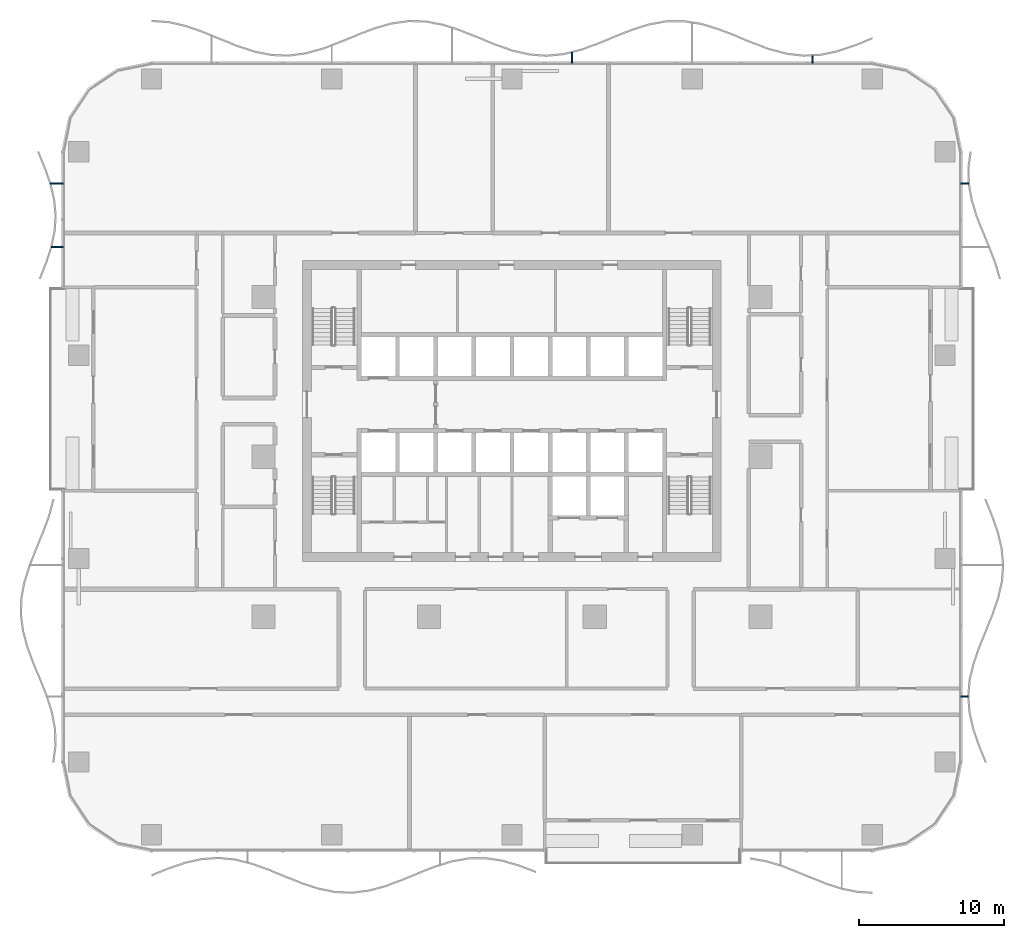
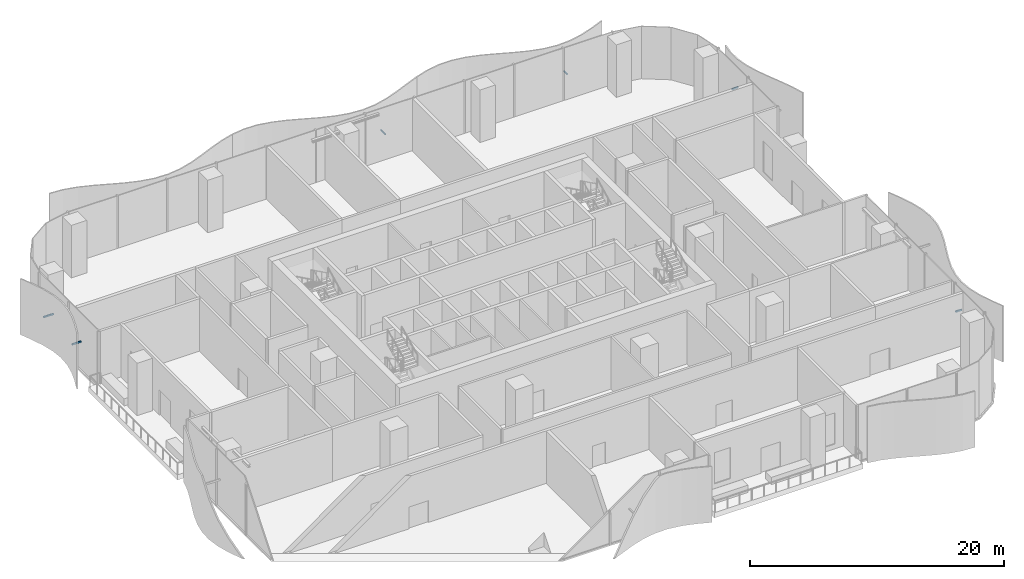
# One storey, part 13 of 20: 6 discrete accessories.
"""IFC4 building model written with IfcOpenShell, lengths in metres."""

from ifc_helpers import new_model, si_unit, direction, frame, origin, origin_2d, place, context, subcontext, project, spatial, rectangle, extrude, material, type_object, element, save


model = new_model("IFC4")

# Units and contexts
model_context = context("Model", 3, precision=1e-05, world=origin(), true_north=direction((0.0, 1.0)))
body_context = subcontext(model_context, "Body", "Model", "MODEL_VIEW")
ifc_project = project(units=[si_unit("LENGTHUNIT", "METRE"), si_unit("AREAUNIT", "SQUARE_METRE"), si_unit("VOLUMEUNIT", "CUBIC_METRE"), si_unit("PLANEANGLEUNIT", "RADIAN"), si_unit("MASSUNIT", "GRAM", prefix="KILO")], contexts=[model_context])

# Site, building, storey
site_placement = place(None, origin())
site = spatial("IfcSite", under=ifc_project, at=site_placement, CompositionType="ELEMENT")
building_placement = place(site_placement, origin())
building = spatial("IfcBuilding", under=site, at=building_placement, Name="Mopane Tessera Tower", CompositionType="ELEMENT")
storey_placement = place(building_placement, frame((0.0, 0.0, 25.5)))
storey = spatial("IfcBuildingStorey", under=building, at=storey_placement, Name="L04", CompositionType="ELEMENT", Elevation=25.5)

# Discrete accessories
ifc_material = material(Name="Stainless steel S316", Category="steel")
discrete_accessory_type = type_object("IfcDiscreteAccessoryType", Name="Louvre bracket 100 x 100", PredefinedType="BRACKET", material=ifc_material)
discrete_accessory_1_placement = place(storey_placement, frame((31.139892578125, -16.4833984375, 2.304931640625), z_axis=(0.0, 0.0, 1.0), x_axis=(1.0, 0.0, 0.0)))
element("IfcDiscreteAccessory", 1, at=discrete_accessory_1_placement, inside=storey, type_object=discrete_accessory_type, Name="e:lv:L04:E:0:br0", PredefinedType="BRACKET", context=body_context, shape_type="SweptSolid", body=[
    extrude(rectangle(XDim=0.52001953125, YDim=0.10009765625, at=origin_2d()), origin(), (0.0, 0.0, 1.0), 0.10009765625),
])
discrete_accessory_2_placement = place(storey_placement, frame((31.156982421875, 18.816650390625, 2.304931640625), z_axis=(0.0, 0.0, 1.0), x_axis=(1.0, 0.0, 0.0)))
element("IfcDiscreteAccessory", 2, at=discrete_accessory_2_placement, inside=storey, type_object=discrete_accessory_type, Name="e:lv:L04:E:1:br1", PredefinedType="BRACKET", context=body_context, shape_type="SweptSolid", body=[
    extrude(rectangle(XDim=0.553955078125, YDim=0.10009765625, at=origin_2d()), origin(), (0.0, 0.0, 1.0), 0.10009765625),
])
discrete_accessory_3_placement = place(storey_placement, frame((20.666748046875, 27.344970703125, 2.304931640625), z_axis=(0.0, 0.0, 1.0), x_axis=(0.0, 1.0, 0.0)))
element("IfcDiscreteAccessory", 3, at=discrete_accessory_3_placement, inside=storey, type_object=discrete_accessory_type, Name="e:lv:L04:N:0:br0", PredefinedType="BRACKET", context=body_context, shape_type="SweptSolid", body=[
    extrude(rectangle(XDim=0.52978515625, YDim=0.10009765625, at=origin_2d()), origin(), (0.0, 0.0, 1.0), 0.10009765625),
])
discrete_accessory_4_placement = place(storey_placement, frame((4.13330078125, 27.458740234375, 2.304931640625), z_axis=(0.0, 0.0, 1.0), x_axis=(0.0, 1.0, 0.0)))
element("IfcDiscreteAccessory", 4, at=discrete_accessory_4_placement, inside=storey, type_object=discrete_accessory_type, Name="e:lv:L04:N:1:br0", PredefinedType="BRACKET", context=body_context, shape_type="SweptSolid", body=[
    extrude(rectangle(XDim=0.757568359375, YDim=0.10009765625, at=origin_2d()), origin(), (0.0, 0.0, 1.0), 0.10009765625),
])
discrete_accessory_5_placement = place(storey_placement, frame((-31.32568359375, 18.816650390625, 2.304931640625), z_axis=(0.0, 0.0, 1.0), x_axis=(-1.0, 0.0, 0.0)))
element("IfcDiscreteAccessory", 5, at=discrete_accessory_5_placement, inside=storey, type_object=discrete_accessory_type, Name="e:lv:L04:W:0:br0", PredefinedType="BRACKET", context=body_context, shape_type="SweptSolid", body=[
    extrude(rectangle(XDim=0.891357421875, YDim=0.10009765625, at=origin_2d()), origin(), (0.0, 0.0, 1.0), 0.10009765625),
])
discrete_accessory_6_placement = place(storey_placement, frame((-31.287109375, 14.449951171875, 2.304931640625), z_axis=(0.0, 0.0, 1.0), x_axis=(-1.0, 0.0, 0.0)))
element("IfcDiscreteAccessory", 6, at=discrete_accessory_6_placement, inside=storey, type_object=discrete_accessory_type, Name="e:lv:L04:W:0:br1", PredefinedType="BRACKET", context=body_context, shape_type="SweptSolid", body=[
    extrude(rectangle(XDim=0.814453125, YDim=0.10009765625, at=origin_2d()), origin(), (0.0, 0.0, 1.0), 0.10009765625),
])

save(model, "model.ifc")
